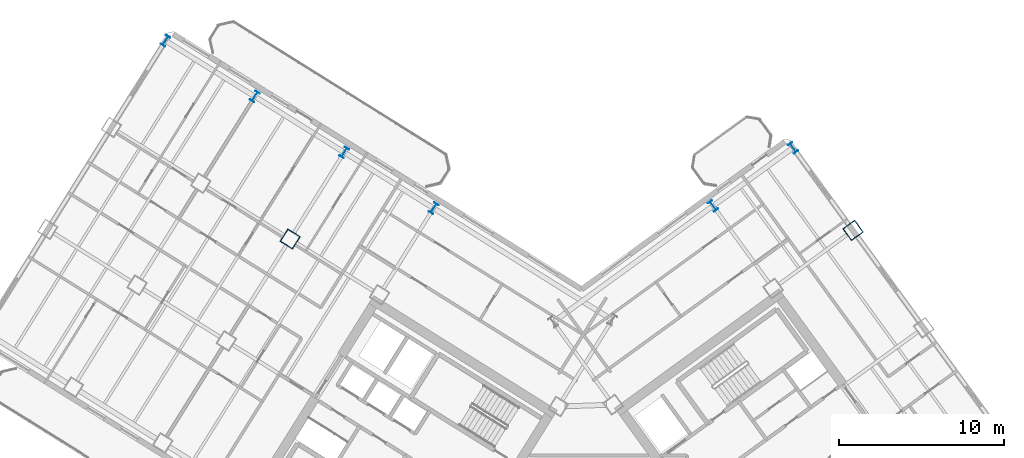
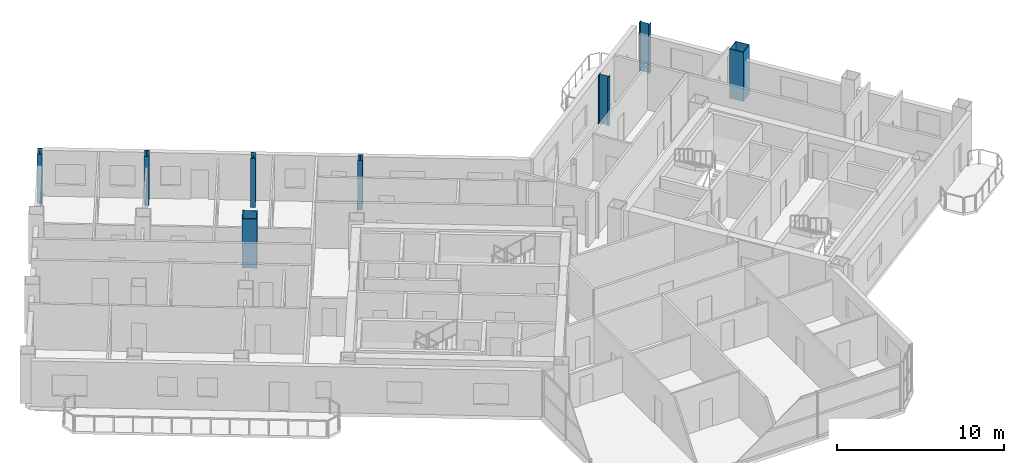
# One storey, part 3 of 20: 8 columns.
"""IFC4 building model written with IfcOpenShell, lengths in metres."""

from ifc_helpers import new_model, si_unit, direction, frame, origin, origin_2d, place, context, subcontext, project, spatial, hollow_rectangle, i_section, extrude, source, transform, mapped, material, material_profile, profile_set, type_object, element, save


model = new_model("IFC4")

# Units and contexts
model_context = context("Model", 3, precision=1e-05, world=origin(), true_north=direction((0.0, 1.0)))
body_context = subcontext(model_context, "Body", "Model", "MODEL_VIEW")
ifc_project = project(units=[si_unit("LENGTHUNIT", "METRE"), si_unit("AREAUNIT", "SQUARE_METRE"), si_unit("VOLUMEUNIT", "CUBIC_METRE"), si_unit("PLANEANGLEUNIT", "RADIAN"), si_unit("MASSUNIT", "GRAM", prefix="KILO")], contexts=[model_context])

# Site, building, storey
site_placement = place(None, origin())
site = spatial("IfcSite", under=ifc_project, at=site_placement, CompositionType="ELEMENT")
building_placement = place(site_placement, origin())
building = spatial("IfcBuilding", under=site, at=building_placement, Name="Tlacorven Tower", CompositionType="ELEMENT")
storey_placement = place(building_placement, frame((0.0, 0.0, 116.10009765625)))
storey = spatial("IfcBuildingStorey", under=building, at=storey_placement, Name="L29", CompositionType="ELEMENT", Elevation=116.10009765625)

# Columns
ifc_material = material(Name="Steel S460M", Category="steel")
ifc_material_profile_1 = material_profile(ifc_material, i_section(OverallWidth=0.300048828125, OverallDepth=0.64990234375, WebThickness=0.01611328125, FlangeThickness=0.031005859375, at=origin_2d()), Name="HEB 650")
ifc_profile_set_1 = profile_set([ifc_material_profile_1], Name="Steel S460M")
column_type_1 = type_object("IfcColumnType", Name="COL-TWR-P1", PredefinedType="COLUMN", material=ifc_profile_set_1)
shared_shape_1 = source(origin(), body_context, "Body", "SweptSolid", [
    extrude(i_section(OverallWidth=0.300048828125, OverallDepth=0.64990234375, WebThickness=0.01611328125, FlangeThickness=0.031005859375, at=origin_2d()), origin(), (0.0, 0.0, 1.0), 3.599853515625),
])
for number, where, z_axis, x_axis, name in (
    (1, (33.21337890625, 36.50927734375, 0.0), (0.0, 0.0, 1.0), (-0.848048096156, 0.529919264233, 0.0), "L29 column COL-L29-W3-1"),
    (2, (27.785888671875, 39.900634765625, 0.0), (0.0, 0.0, 1.0), (-0.848048096156, 0.529919264233, 0.0), "L29 column COL-L29-W4-1"),
    (3, (22.3583984375, 43.292236328125, 0.0), (0.0, 0.0, 1.0), (-0.848048096156, 0.529919264233, 0.0), "L29 column COL-L29-W5-1"),
    (4, (16.930908203125, 46.68359375, 0.0), (0.0, 0.0, 1.0), (-0.848048096156, 0.529919264233, 0.0), "L29 column COL-L29-W6-1"),
    (5, (50.187744140625, 36.654296875, 0.0), (0.0, 0.0, 1.0), (0.809016994375, 0.587785252292, 0.0), "L29 column COL-L29-E3-4"),
    (6, (55.041748046875, 40.18115234375, 0.0), (0.0, 0.0, 1.0), (0.809016994375, 0.587785252292, 0.0), "L29 column COL-L29-E4-4"),
):
    element("IfcColumn", number, at=place(storey_placement, frame(where, z_axis=z_axis, x_axis=x_axis)), inside=storey, type_object=column_type_1, Name=name, PredefinedType="COLUMN", context=body_context, shape_type="MappedRepresentation", body=[
        mapped(shared_shape_1, transform((0.0, 0.0, 0.0), scale=1.0)),
    ])
ifc_material_profile_2 = material_profile(ifc_material, hollow_rectangle(XDim=0.89990234375, YDim=0.89990234375, WallThickness=0.035888671875, at=origin_2d()), Name="BOX 900X900X36")
ifc_profile_set_2 = profile_set([ifc_material_profile_2], Name="Steel S460M")
column_type_2 = type_object("IfcColumnType", Name="COL-TWR-S2", PredefinedType="COLUMN", material=ifc_profile_set_2)
shared_shape_2 = source(origin(), body_context, "Body", "SweptSolid", [
    extrude(hollow_rectangle(XDim=0.89990234375, YDim=0.89990234375, WallThickness=0.035888671875, at=origin_2d()), origin(), (0.0, 0.0, 1.0), 3.599853515625),
])
for number, where, z_axis, x_axis, name in (
    (7, (24.50048828125, 34.642822265625, 0.0), (0.0, 0.0, 1.0), (-0.848048096156, 0.529919264233, 0.0), "L29 column COL-L29-W4-2"),
    (8, (58.68603515625, 35.165283203125, 0.0), (0.0, 0.0, 1.0), (0.809016994375, 0.587785252292, 0.0), "L29 column COL-L29-E4-3"),
):
    element("IfcColumn", number, at=place(storey_placement, frame(where, z_axis=z_axis, x_axis=x_axis)), inside=storey, type_object=column_type_2, Name=name, PredefinedType="COLUMN", context=body_context, shape_type="MappedRepresentation", body=[
        mapped(shared_shape_2, transform((0.0, 0.0, 0.0), scale=1.0)),
    ])

save(model, "model.ifc")
